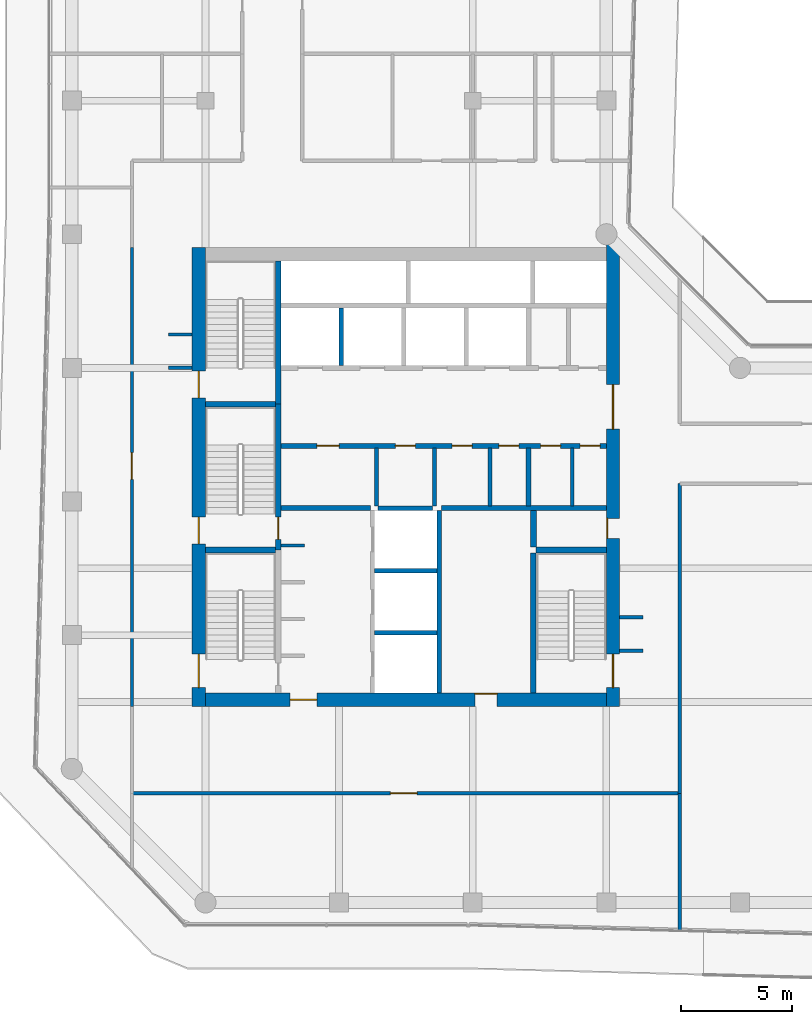
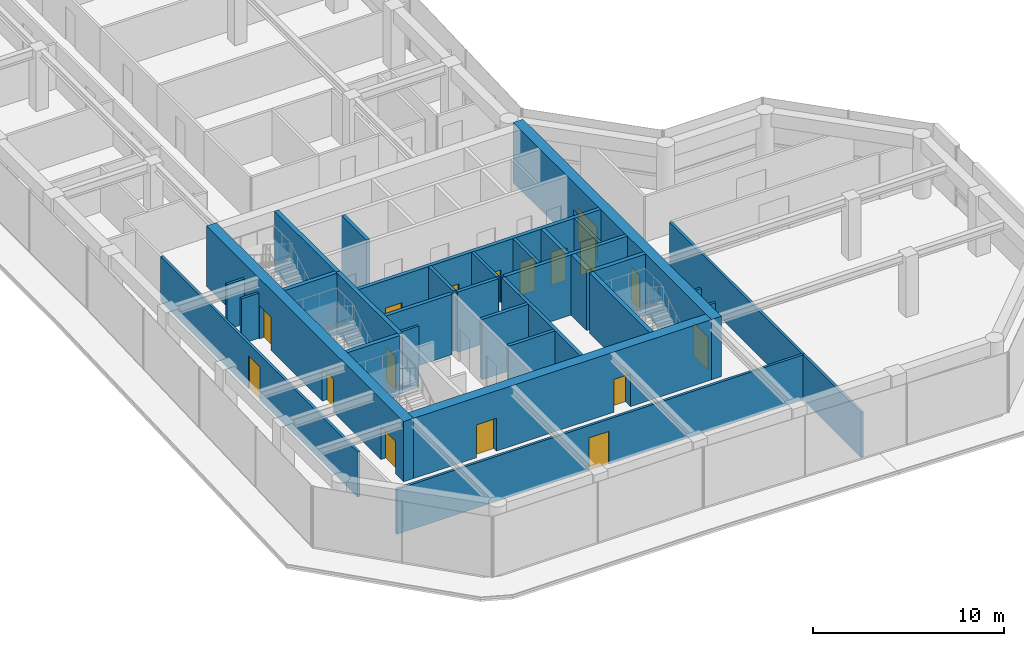
# One storey, part 15 of 19: 32 walls, 17 doors, 17 openings.
"""IFC4 building model written with IfcOpenShell, lengths in metres."""

from ifc_helpers import new_model, si_unit, direction, frame, frame_2d, origin, place, context, subcontext, project, spatial, rectangle, extrude, material, layer, layer_set, type_object, element, fill, save


model = new_model("IFC4")

# Units and contexts
model_context = context("Model", 3, precision=1e-05, world=origin(), true_north=direction((0.0, 1.0)))
body_context = subcontext(model_context, "Body", "Model", "MODEL_VIEW")
ifc_project = project(units=[si_unit("LENGTHUNIT", "METRE"), si_unit("AREAUNIT", "SQUARE_METRE"), si_unit("VOLUMEUNIT", "CUBIC_METRE"), si_unit("PLANEANGLEUNIT", "RADIAN"), si_unit("MASSUNIT", "GRAM", prefix="KILO")], contexts=[model_context])

# Site, building, storey
site_placement = place(None, origin())
site = spatial("IfcSite", under=ifc_project, at=site_placement, CompositionType="ELEMENT")
building_placement = place(site_placement, origin())
building = spatial("IfcBuilding", under=site, at=building_placement, Name="Welwitschia Terrace Campus", CompositionType="ELEMENT")
storey_placement = place(building_placement, frame((0.0, 0.0, 163.39990234375)))
storey = spatial("IfcBuildingStorey", under=building, at=storey_placement, Name="L36", CompositionType="ELEMENT", Elevation=163.39990234375)

# Walls
ifc_material_1 = material(Name="Concrete C32/40", Category="concrete")
ifc_layer_1 = layer(ifc_material_1, 0.175048828125)
ifc_layer_set_1 = layer_set([ifc_layer_1], Name="Concrete C32/40")
wall_type_1 = type_object("IfcWallType", Name="Core partition 175 Concrete C32/40", PredefinedType="PARTITIONING", material=ifc_layer_set_1)
for number, where, z_axis, x_axis, name in (
    (1, (13.675048828125, 13.800048828125, 0.0), (0.0, 0.0, 1.0), (0.0, 1.0, 0.0), "Core partition"),
    (2, (16.27490234375, 13.800048828125, 0.0), (0.0, 0.0, 1.0), (0.0, 1.0, 0.0), "Core partition"),
    (3, (18.77490234375, 13.800048828125, 0.0), (0.0, 0.0, 1.0), (0.0, 1.0, 0.0), "Core partition"),
    (4, (22.469970703125, 13.800048828125, 0.0), (0.0, 0.0, 1.0), (0.0, 1.0, 0.0), "Core partition"),
):
    element("IfcWall", number, at=place(storey_placement, frame(where, z_axis=z_axis, x_axis=x_axis)), inside=storey, type_object=wall_type_1, Name=name, PredefinedType="PARTITIONING", context=body_context, shape_type="SweptSolid", body=[
        extrude(rectangle(XDim=2.599853515625, YDim=0.175048828125, at=frame_2d((1.2998046875, 0.0))), origin(), (0.0, 0.0, 1.0), 3.85009765625),
    ])
ifc_material_2 = material(Name="Concrete C32/40", Category="concrete")
ifc_layer_2 = layer(ifc_material_2, 0.22509765625)
ifc_layer_set_2 = layer_set([ifc_layer_2], Name="Concrete C32/40")
wall_type_2 = type_object("IfcWallType", Name="Core partition 225 Concrete C32/40", PredefinedType="PARTITIONING", material=ifc_layer_set_2)
wall_1_placement = place(storey_placement, frame((9.39990234375, 13.699951171875, 0.0), z_axis=(0.0, 0.0, 1.0), x_axis=(1.0, 0.0, 0.0)))
element("IfcWall", 5, at=wall_1_placement, inside=storey, type_object=wall_type_2, Name="Core partition", PredefinedType="PARTITIONING", context=body_context, shape_type="SweptSolid", body=[
    extrude(rectangle(XDim=4.0, YDim=0.22509765625, at=frame_2d((2.0, 0.0))), origin(), (0.0, 0.0, 1.0), 3.85009765625),
])
wall_2_placement = place(storey_placement, frame((16.60009765625, 13.699951171875, 0.0), z_axis=(0.0, 0.0, 1.0), x_axis=(1.0, 0.0, 0.0)))
element("IfcWall", 6, at=wall_2_placement, inside=storey, type_object=wall_type_2, Name="Core partition", PredefinedType="PARTITIONING", context=body_context, shape_type="SweptSolid", body=[
    extrude(rectangle(XDim=7.39990234375, YDim=0.22509765625, at=frame_2d((3.699951171875, 0.0))), origin(), (0.0, 0.0, 1.0), 3.85009765625),
])

# Wall, openings, doors
wall_3_placement = place(storey_placement, frame((9.39990234375, 16.5, 0.0), z_axis=(0.0, 0.0, 1.0), x_axis=(1.0, 0.0, 0.0)))
wall_3 = element("IfcWall", 7, at=wall_3_placement, inside=storey, type_object=wall_type_2, Name="Core partition", PredefinedType="PARTITIONING", context=body_context, shape_type="SweptSolid", body=[
    extrude(rectangle(XDim=14.60009765625, YDim=0.22509765625, at=frame_2d((7.300048828125, 0.0))), origin(), (0.0, 0.0, 1.0), 3.85009765625),
])
opening_1_placement = place(wall_3_placement, frame((1.60009765625, 0.0, 0.0)))
opening_1 = element("IfcOpeningElement", 8, at=opening_1_placement, cuts=wall_3, Name="Opening DR10", PredefinedType="OPENING", context=body_context, shape_type="SweptSolid", body=[
    extrude(rectangle(XDim=1.0, YDim=2.10009765625, at=frame_2d((0.5, 1.050048828125))), frame((0.0, 0.12255859375, 0.0), z_axis=(0.0, -1.0, 0.0), x_axis=(1.0, 0.0, 0.0)), (0.0, 0.0, 1.0), 0.2451171875),
])
opening_2_placement = place(wall_3_placement, frame((5.125, 0.0, 0.0)))
opening_2 = element("IfcOpeningElement", 9, at=opening_2_placement, cuts=wall_3, Name="Opening DR09", PredefinedType="OPENING", context=body_context, shape_type="SweptSolid", body=[
    extrude(rectangle(XDim=0.89990234375, YDim=2.10009765625, at=frame_2d((0.449951171875, 1.050048828125))), frame((0.0, 0.12255859375, 0.0), z_axis=(0.0, -1.0, 0.0), x_axis=(1.0, 0.0, 0.0)), (0.0, 0.0, 1.0), 0.2451171875),
])
opening_3_placement = place(wall_3_placement, frame((7.675048828125, 0.0, 0.0)))
opening_3 = element("IfcOpeningElement", 10, at=opening_3_placement, cuts=wall_3, Name="Opening DR09", PredefinedType="OPENING", context=body_context, shape_type="SweptSolid", body=[
    extrude(rectangle(XDim=0.89990234375, YDim=2.10009765625, at=frame_2d((0.449951171875, 1.050048828125))), frame((0.0, 0.12255859375, 0.0), z_axis=(0.0, -1.0, 0.0), x_axis=(1.0, 0.0, 0.0)), (0.0, 0.0, 1.0), 0.2451171875),
])
opening_4_placement = place(wall_3_placement, frame((9.77490234375, 0.0, 0.0)))
opening_4 = element("IfcOpeningElement", 11, at=opening_4_placement, cuts=wall_3, Name="Opening DR09", PredefinedType="OPENING", context=body_context, shape_type="SweptSolid", body=[
    extrude(rectangle(XDim=0.89990234375, YDim=2.10009765625, at=frame_2d((0.449951171875, 1.050048828125))), frame((0.0, 0.12255859375, 0.0), z_axis=(0.0, -1.0, 0.0), x_axis=(1.0, 0.0, 0.0)), (0.0, 0.0, 1.0), 0.2451171875),
])
opening_5_placement = place(wall_3_placement, frame((11.6474609375, 0.0, 0.0)))
opening_5 = element("IfcOpeningElement", 12, at=opening_5_placement, cuts=wall_3, Name="Opening DR09", PredefinedType="OPENING", context=body_context, shape_type="SweptSolid", body=[
    extrude(rectangle(XDim=0.89990234375, YDim=2.10009765625, at=frame_2d((0.449951171875, 1.050048828125))), frame((0.0, 0.12255859375, 0.0), z_axis=(0.0, -1.0, 0.0), x_axis=(1.0, 0.0, 0.0)), (0.0, 0.0, 1.0), 0.2451171875),
])
opening_6_placement = place(wall_3_placement, frame((13.422607421875, 0.0, 0.0)))
opening_6 = element("IfcOpeningElement", 13, at=opening_6_placement, cuts=wall_3, Name="Opening DR09", PredefinedType="OPENING", context=body_context, shape_type="SweptSolid", body=[
    extrude(rectangle(XDim=0.89990234375, YDim=2.10009765625, at=frame_2d((0.449951171875, 1.050048828125))), frame((0.0, 0.12255859375, 0.0), z_axis=(0.0, -1.0, 0.0), x_axis=(1.0, 0.0, 0.0)), (0.0, 0.0, 1.0), 0.2451171875),
])
ifc_material_3 = material(Name="Steel S275", Category="steel")
door_type_1 = type_object("IfcDoorType", Name="Core door DR09", OperationType="SINGLE_SWING_LEFT", PredefinedType="DOOR", material=ifc_material_3)
door_1_placement = place(opening_2_placement, origin())
door_1 = element("IfcDoor", 14, at=door_1_placement, inside=storey, type_object=door_type_1, Name="Door BAYL2-D", OperationType="SINGLE_SWING_LEFT", OverallHeight=2.10009765625, OverallWidth=0.89990234375, PredefinedType="DOOR", context=body_context, shape_type="SweptSolid", body=[
    extrude(rectangle(XDim=0.89990234375, YDim=2.10009765625, at=frame_2d((0.449951171875, 1.050048828125))), frame((0.0, 0.02490234375, 0.0), z_axis=(0.0, -1.0, 0.0), x_axis=(1.0, 0.0, 0.0)), (0.0, 0.0, 1.0), 0.050048828125),
])
fill(opening_2, door_1)
door_2_placement = place(opening_3_placement, origin())
door_2 = element("IfcDoor", 15, at=door_2_placement, inside=storey, type_object=door_type_1, Name="Door BAYL3-D", OperationType="SINGLE_SWING_RIGHT", OverallHeight=2.10009765625, OverallWidth=0.89990234375, PredefinedType="DOOR", context=body_context, shape_type="SweptSolid", body=[
    extrude(rectangle(XDim=0.89990234375, YDim=2.10009765625, at=frame_2d((0.449951171875, 1.050048828125))), frame((0.0, 0.02490234375, 0.0), z_axis=(0.0, -1.0, 0.0), x_axis=(1.0, 0.0, 0.0)), (0.0, 0.0, 1.0), 0.050048828125),
])
fill(opening_3, door_2)
door_3_placement = place(opening_4_placement, origin())
door_3 = element("IfcDoor", 16, at=door_3_placement, inside=storey, type_object=door_type_1, Name="Door BAYL4-D", OperationType="SINGLE_SWING_RIGHT", OverallHeight=2.10009765625, OverallWidth=0.89990234375, PredefinedType="DOOR", context=body_context, shape_type="SweptSolid", body=[
    extrude(rectangle(XDim=0.89990234375, YDim=2.10009765625, at=frame_2d((0.449951171875, 1.050048828125))), frame((0.0, 0.02490234375, 0.0), z_axis=(0.0, -1.0, 0.0), x_axis=(1.0, 0.0, 0.0)), (0.0, 0.0, 1.0), 0.050048828125),
])
fill(opening_4, door_3)
door_4_placement = place(opening_5_placement, origin())
door_4 = element("IfcDoor", 17, at=door_4_placement, inside=storey, type_object=door_type_1, Name="Door EL1-D", OperationType="SINGLE_SWING_RIGHT", OverallHeight=2.10009765625, OverallWidth=0.89990234375, PredefinedType="DOOR", context=body_context, shape_type="SweptSolid", body=[
    extrude(rectangle(XDim=0.89990234375, YDim=2.10009765625, at=frame_2d((0.449951171875, 1.050048828125))), frame((0.0, 0.02490234375, 0.0), z_axis=(0.0, -1.0, 0.0), x_axis=(1.0, 0.0, 0.0)), (0.0, 0.0, 1.0), 0.050048828125),
])
fill(opening_5, door_4)
door_5_placement = place(opening_6_placement, origin())
door_5 = element("IfcDoor", 18, at=door_5_placement, inside=storey, type_object=door_type_1, Name="Door EL2-D", OperationType="SINGLE_SWING_RIGHT", OverallHeight=2.10009765625, OverallWidth=0.89990234375, PredefinedType="DOOR", context=body_context, shape_type="SweptSolid", body=[
    extrude(rectangle(XDim=0.89990234375, YDim=2.10009765625, at=frame_2d((0.449951171875, 1.050048828125))), frame((0.0, 0.02490234375, 0.0), z_axis=(0.0, -1.0, 0.0), x_axis=(1.0, 0.0, 0.0)), (0.0, 0.0, 1.0), 0.050048828125),
])
fill(opening_6, door_5)
ifc_material_4 = material(Name="Steel S275", Category="steel")
door_type_2 = type_object("IfcDoorType", Name="Core door DR10", OperationType="SINGLE_SWING_LEFT", PredefinedType="DOOR", material=ifc_material_4)
door_6_placement = place(opening_1_placement, origin())
door_6 = element("IfcDoor", 19, at=door_6_placement, inside=storey, type_object=door_type_2, Name="Door BAYL1-D", OperationType="SINGLE_SWING_LEFT", OverallHeight=2.10009765625, OverallWidth=1.0, PredefinedType="DOOR", context=body_context, shape_type="SweptSolid", body=[
    extrude(rectangle(XDim=1.0, YDim=2.10009765625, at=frame_2d((0.5, 1.050048828125))), frame((0.0, 0.02490234375, 0.0), z_axis=(0.0, -1.0, 0.0), x_axis=(1.0, 0.0, 0.0)), (0.0, 0.0, 1.0), 0.050048828125),
])
fill(opening_1, door_6)

# Walls
wall_4_placement = place(storey_placement, frame((20.5, 13.800048828125, 0.0), z_axis=(0.0, 0.0, 1.0), x_axis=(0.0, 1.0, 0.0)))
element("IfcWall", 20, at=wall_4_placement, inside=storey, type_object=wall_type_2, Name="Core partition", PredefinedType="PARTITIONING", context=body_context, shape_type="SweptSolid", body=[
    extrude(rectangle(XDim=2.599853515625, YDim=0.22509765625, at=frame_2d((1.2998046875, 0.0))), origin(), (0.0, 0.0, 1.0), 3.85009765625),
])
ifc_material_5 = material(Name="Concrete C32/40", Category="concrete")
ifc_layer_3 = layer(ifc_material_5, 0.27490234375)
ifc_layer_set_3 = layer_set([ifc_layer_3], Name="Concrete C32/40")
wall_type_3 = type_object("IfcWallType", Name="Core partition 275 Concrete C32/40", PredefinedType="PARTITIONING", material=ifc_layer_set_3)
wall_5_placement = place(storey_placement, frame((20.72509765625, 11.949951171875, 0.0), z_axis=(0.0, 0.0, 1.0), x_axis=(0.0, 1.0, 0.0)))
element("IfcWall", 21, at=wall_5_placement, inside=storey, type_object=wall_type_3, Name="Core partition", PredefinedType="PARTITIONING", context=body_context, shape_type="SweptSolid", body=[
    extrude(rectangle(XDim=1.650146484375, YDim=0.27490234375, at=frame_2d((0.8251953125, 0.0))), origin(), (0.0, 0.0, 1.0), 3.85009765625),
])
ifc_material_6 = material(Name="Concrete C50/60", Category="concrete")
ifc_layer_4 = layer(ifc_material_6, 0.14990234375)
ifc_layer_set_4 = layer_set([ifc_layer_4], Name="Concrete C50/60")
wall_type_4 = type_object("IfcWallType", Name="Core wall 150 Concrete C50/60", PredefinedType="SHEAR", material=ifc_layer_set_4)
wall_6_placement = place(storey_placement, frame((9.39990234375, 12.02490234375, 0.0), z_axis=(0.0, 0.0, 1.0), x_axis=(1.0, 0.0, 0.0)))
element("IfcWall", 22, at=wall_6_placement, inside=storey, type_object=wall_type_4, Name="Core wall", PredefinedType="SHEAR", context=body_context, shape_type="SweptSolid", body=[
    extrude(rectangle(XDim=1.050048828125, YDim=0.14990234375, at=frame_2d((0.52490234375, 0.0))), origin(), (0.0, 0.0, 1.0), 3.85009765625),
])
ifc_material_7 = material(Name="Concrete C50/60", Category="concrete")
ifc_layer_5 = layer(ifc_material_7, 0.199951171875)
ifc_layer_set_5 = layer_set([ifc_layer_5], Name="Concrete C50/60")
wall_type_5 = type_object("IfcWallType", Name="Core wall 200 Concrete C50/60", PredefinedType="SHEAR", material=ifc_layer_set_5)
for number, where, z_axis, x_axis, name in (
    (23, (13.60009765625, 8.10009765625, 0.0), (0.0, 0.0, 1.0), (1.0, 0.0, 0.0), "Core wall"),
    (24, (13.60009765625, 10.89990234375, 0.0), (0.0, 0.0, 1.0), (1.0, 0.0, 0.0), "Core wall"),
):
    element("IfcWall", number, at=place(storey_placement, frame(where, z_axis=z_axis, x_axis=x_axis)), inside=storey, type_object=wall_type_5, Name=name, PredefinedType="SHEAR", context=body_context, shape_type="SweptSolid", body=[
        extrude(rectangle(XDim=2.7998046875, YDim=0.199951171875, at=frame_2d((1.39990234375, 0.0))), origin(), (0.0, 0.0, 1.0), 3.85009765625),
    ])
wall_7_placement = place(storey_placement, frame((13.75, 13.699951171875, 0.0), z_axis=(0.0, 0.0, 1.0), x_axis=(1.0, 0.0, 0.0)))
element("IfcWall", 25, at=wall_7_placement, inside=storey, type_object=wall_type_5, Name="Core wall", PredefinedType="SHEAR", context=body_context, shape_type="SweptSolid", body=[
    extrude(rectangle(XDim=2.449951171875, YDim=0.199951171875, at=frame_2d((1.22509765625, 0.0))), origin(), (0.0, 0.0, 1.0), 3.85009765625),
])
wall_8_placement = place(storey_placement, frame((16.5, 5.39990234375, 0.0), z_axis=(0.0, 0.0, 1.0), x_axis=(0.0, 1.0, 0.0)))
element("IfcWall", 26, at=wall_8_placement, inside=storey, type_object=wall_type_5, Name="Core wall", PredefinedType="SHEAR", context=body_context, shape_type="SweptSolid", body=[
    extrude(rectangle(XDim=8.2001953125, YDim=0.199951171875, at=frame_2d((4.10009765625, 0.0))), origin(), (0.0, 0.0, 1.0), 3.85009765625),
])
ifc_material_8 = material(Name="Concrete C50/60", Category="concrete")
ifc_layer_6 = layer(ifc_material_8, 0.25)
ifc_layer_set_6 = layer_set([ifc_layer_6], Name="Concrete C50/60")
wall_type_6 = type_object("IfcWallType", Name="Core wall 250 Concrete C50/60", PredefinedType="SHEAR", material=ifc_layer_set_6)
for number, where, z_axis, x_axis, name in (
    (27, (6.0, 11.824951171875, 0.0), (0.0, 0.0, 1.0), (1.0, 0.0, 0.0), "Core wall"),
    (28, (20.85009765625, 11.824951171875, 0.0), (0.0, 0.0, 1.0), (1.0, 0.0, 0.0), "Core wall"),
    (29, (6.0, 18.375, 0.0), (0.0, 0.0, 1.0), (1.0, 0.0, 0.0), "Core wall"),
):
    element("IfcWall", number, at=place(storey_placement, frame(where, z_axis=z_axis, x_axis=x_axis)), inside=storey, type_object=wall_type_6, Name=name, PredefinedType="SHEAR", context=body_context, shape_type="SweptSolid", body=[
        extrude(rectangle(XDim=3.14990234375, YDim=0.25, at=frame_2d((1.574951171875, 0.0))), origin(), (0.0, 0.0, 1.0), 3.85009765625),
    ])

# Wall, opening, door
wall_9_placement = place(storey_placement, frame((9.27490234375, 18.375, 0.0), z_axis=(0.0, 0.0, 1.0), x_axis=(0.0, -1.0, 0.0)))
wall_9 = element("IfcWall", 30, at=wall_9_placement, inside=storey, type_object=wall_type_6, Name="Core wall", PredefinedType="SHEAR", context=body_context, shape_type="SweptSolid", body=[
    extrude(rectangle(XDim=6.550048828125, YDim=0.25, at=frame_2d((3.27490234375, 0.0))), origin(), (0.0, 0.0, 1.0), 3.85009765625),
])
opening_7_placement = place(wall_9_placement, frame((5.074951171875, 0.0, 0.0)))
opening_7 = element("IfcOpeningElement", 31, at=opening_7_placement, cuts=wall_9, Name="Opening DS10", PredefinedType="OPENING", context=body_context, shape_type="SweptSolid", body=[
    extrude(rectangle(XDim=1.0, YDim=2.10009765625, at=frame_2d((0.5, 1.050048828125))), frame((0.0, 0.135009765625, 0.0), z_axis=(0.0, -1.0, 0.0), x_axis=(1.0, 0.0, 0.0)), (0.0, 0.0, 1.0), 0.27001953125),
])
ifc_material_9 = material(Name="Steel S275", Category="steel")
door_type_3 = type_object("IfcDoorType", Name="Core door DS10", OperationType="SINGLE_SWING_LEFT", PredefinedType="DOOR", material=ifc_material_9)
door_7_placement = place(opening_7_placement, origin())
door_7 = element("IfcDoor", 32, at=door_7_placement, inside=storey, type_object=door_type_3, Name="Door S3-FL", OperationType="SINGLE_SWING_RIGHT", OverallHeight=2.10009765625, OverallWidth=1.0, PredefinedType="DOOR", context=body_context, shape_type="SweptSolid", body=[
    extrude(rectangle(XDim=1.0, YDim=2.10009765625, at=frame_2d((0.5, 1.050048828125))), frame((0.0, 0.02490234375, 0.0), z_axis=(0.0, -1.0, 0.0), x_axis=(1.0, 0.0, 0.0)), (0.0, 0.0, 1.0), 0.050048828125),
])
fill(opening_7, door_7)

# Walls
wall_10_placement = place(storey_placement, frame((9.27490234375, 18.375, 0.0), z_axis=(0.0, 0.0, 1.0), x_axis=(0.0, 1.0, 0.0)))
element("IfcWall", 33, at=wall_10_placement, inside=storey, type_object=wall_type_6, Name="Core wall", PredefinedType="SHEAR", context=body_context, shape_type="SweptSolid", body=[
    extrude(rectangle(XDim=6.425048828125, YDim=0.25, at=frame_2d((3.21240234375, 0.0))), origin(), (0.0, 0.0, 1.0), 3.85009765625),
])
wall_11_placement = place(storey_placement, frame((20.72509765625, 5.39990234375, 0.0), z_axis=(0.0, 0.0, 1.0), x_axis=(0.0, 1.0, 0.0)))
element("IfcWall", 34, at=wall_11_placement, inside=storey, type_object=wall_type_6, Name="Core wall", PredefinedType="SHEAR", context=body_context, shape_type="SweptSolid", body=[
    extrude(rectangle(XDim=6.300048828125, YDim=0.25, at=frame_2d((3.14990234375, 0.0))), origin(), (0.0, 0.0, 1.0), 3.85009765625),
])

# Wall, openings, doors
ifc_material_10 = material(Name="Concrete C60/75", Category="concrete")
ifc_layer_7 = layer(ifc_material_10, 0.60009765625)
ifc_layer_set_7 = layer_set([ifc_layer_7], Name="Concrete C60/75")
wall_type_7 = type_object("IfcWallType", Name="Core wall 600 Concrete C60/75", PredefinedType="SHEAR", material=ifc_layer_set_7)
wall_12_placement = place(storey_placement, frame((5.699951171875, 4.800048828125, 0.0), z_axis=(0.0, 0.0, 1.0), x_axis=(0.0, 1.0, 0.0)))
wall_12 = element("IfcWall", 35, at=wall_12_placement, inside=storey, type_object=wall_type_7, Name="Core outer wall", PredefinedType="SHEAR", context=body_context, shape_type="SweptSolid", body=[
    extrude(rectangle(XDim=20.599853515625, YDim=0.60009765625, at=frame_2d((10.2998046875, 0.0))), origin(), (0.0, 0.0, 1.0), 3.85009765625),
])
opening_8_placement = place(wall_12_placement, frame((0.85009765625, 0.0, 0.0)))
opening_8 = element("IfcOpeningElement", 36, at=opening_8_placement, cuts=wall_12, Name="Opening DS15", PredefinedType="OPENING", context=body_context, shape_type="SweptSolid", body=[
    extrude(rectangle(XDim=1.5, YDim=2.10009765625, at=frame_2d((0.75, 1.050048828125))), frame((0.0, 0.31005859375, 0.0), z_axis=(0.0, -1.0, 0.0), x_axis=(1.0, 0.0, 0.0)), (0.0, 0.0, 1.0), 0.6201171875),
])
opening_9_placement = place(wall_12_placement, frame((7.300048828125, 0.0, 0.0)))
opening_9 = element("IfcOpeningElement", 37, at=opening_9_placement, cuts=wall_12, Name="Opening DS12", PredefinedType="OPENING", context=body_context, shape_type="SweptSolid", body=[
    extrude(rectangle(XDim=1.199951171875, YDim=2.10009765625, at=frame_2d((0.60009765625, 1.050048828125))), frame((0.0, 0.31005859375, 0.0), z_axis=(0.0, -1.0, 0.0), x_axis=(1.0, 0.0, 0.0)), (0.0, 0.0, 1.0), 0.6201171875),
])
opening_10_placement = place(wall_12_placement, frame((13.85009765625, 0.0, 0.0)))
opening_10 = element("IfcOpeningElement", 38, at=opening_10_placement, cuts=wall_12, Name="Opening DS12", PredefinedType="OPENING", context=body_context, shape_type="SweptSolid", body=[
    extrude(rectangle(XDim=1.199951171875, YDim=2.10009765625, at=frame_2d((0.60009765625, 1.050048828125))), frame((0.0, 0.31005859375, 0.0), z_axis=(0.0, -1.0, 0.0), x_axis=(1.0, 0.0, 0.0)), (0.0, 0.0, 1.0), 0.6201171875),
])
ifc_material_11 = material(Name="Steel S275", Category="steel")
door_type_4 = type_object("IfcDoorType", Name="Core door DS12", OperationType="SINGLE_SWING_LEFT", PredefinedType="DOOR", material=ifc_material_11)
door_8_placement = place(opening_9_placement, origin())
door_8 = element("IfcDoor", 39, at=door_8_placement, inside=storey, type_object=door_type_4, Name="Door S3-out", OperationType="SINGLE_SWING_LEFT", OverallHeight=2.10009765625, OverallWidth=1.199951171875, PredefinedType="DOOR", context=body_context, shape_type="SweptSolid", body=[
    extrude(rectangle(XDim=1.199951171875, YDim=2.10009765625, at=frame_2d((0.60009765625, 1.050048828125))), frame((0.0, 0.02490234375, 0.0), z_axis=(0.0, -1.0, 0.0), x_axis=(1.0, 0.0, 0.0)), (0.0, 0.0, 1.0), 0.050048828125),
])
fill(opening_9, door_8)
door_9_placement = place(opening_10_placement, origin())
door_9 = element("IfcDoor", 40, at=door_9_placement, inside=storey, type_object=door_type_4, Name="Door S4-out", OperationType="SINGLE_SWING_RIGHT", OverallHeight=2.10009765625, OverallWidth=1.199951171875, PredefinedType="DOOR", context=body_context, shape_type="SweptSolid", body=[
    extrude(rectangle(XDim=1.199951171875, YDim=2.10009765625, at=frame_2d((0.60009765625, 1.050048828125))), frame((0.0, 0.02490234375, 0.0), z_axis=(0.0, -1.0, 0.0), x_axis=(1.0, 0.0, 0.0)), (0.0, 0.0, 1.0), 0.050048828125),
])
fill(opening_10, door_9)
ifc_material_12 = material(Name="Steel S275", Category="steel")
door_type_5 = type_object("IfcDoorType", Name="Core door DS15", OperationType="DOUBLE_DOOR_SINGLE_SWING", PredefinedType="DOOR", material=ifc_material_12)
door_10_placement = place(opening_8_placement, origin())
door_10 = element("IfcDoor", 41, at=door_10_placement, inside=storey, type_object=door_type_5, Name="Door S1-out", OperationType="DOUBLE_DOOR_SINGLE_SWING", OverallHeight=2.10009765625, OverallWidth=1.5, PredefinedType="DOOR", context=body_context, shape_type="SweptSolid", body=[
    extrude(rectangle(XDim=1.5, YDim=2.10009765625, at=frame_2d((0.75, 1.050048828125))), frame((0.0, 0.02490234375, 0.0), z_axis=(0.0, -1.0, 0.0), x_axis=(1.0, 0.0, 0.0)), (0.0, 0.0, 1.0), 0.050048828125),
])
fill(opening_8, door_10)

wall_13_placement = place(storey_placement, frame((24.300048828125, 25.554931640625, 0.0), z_axis=(0.0, 0.0, 1.0), x_axis=(0.0, -1.0, 0.0)))
wall_13 = element("IfcWall", 42, at=wall_13_placement, inside=storey, type_object=wall_type_7, Name="Core outer wall", PredefinedType="SHEAR", context=body_context, shape_type="SweptSolid", body=[
    extrude(rectangle(XDim=20.7548828125, YDim=0.60009765625, at=frame_2d((10.37744140625, 0.0))), origin(), (0.0, 0.0, 1.0), 3.85009765625),
])
opening_11_placement = place(wall_13_placement, frame((18.405029296875, 0.0, 0.0)))
opening_11 = element("IfcOpeningElement", 43, at=opening_11_placement, cuts=wall_13, Name="Opening DS15", PredefinedType="OPENING", context=body_context, shape_type="SweptSolid", body=[
    extrude(rectangle(XDim=1.5, YDim=2.10009765625, at=frame_2d((0.75, 1.050048828125))), frame((0.0, 0.31005859375, 0.0), z_axis=(0.0, -1.0, 0.0), x_axis=(1.0, 0.0, 0.0)), (0.0, 0.0, 1.0), 0.6201171875),
])
opening_12_placement = place(wall_13_placement, frame((12.304931640625, 0.0, 0.0)))
opening_12 = element("IfcOpeningElement", 44, at=opening_12_placement, cuts=wall_13, Name="Opening DR09", PredefinedType="OPENING", context=body_context, shape_type="SweptSolid", body=[
    extrude(rectangle(XDim=0.89990234375, YDim=2.10009765625, at=frame_2d((0.449951171875, 1.050048828125))), frame((0.0, 0.31005859375, 0.0), z_axis=(0.0, -1.0, 0.0), x_axis=(1.0, 0.0, 0.0)), (0.0, 0.0, 1.0), 0.6201171875),
])
opening_13_placement = place(wall_13_placement, frame((6.304931640625, 0.0, 0.0)))
opening_13 = element("IfcOpeningElement", 45, at=opening_13_placement, cuts=wall_13, Name="Opening DL20", PredefinedType="OPENING", context=body_context, shape_type="SweptSolid", body=[
    extrude(rectangle(XDim=2.0, YDim=2.10009765625, at=frame_2d((1.0, 1.050048828125))), frame((0.0, 0.31005859375, 0.0), z_axis=(0.0, -1.0, 0.0), x_axis=(1.0, 0.0, 0.0)), (0.0, 0.0, 1.0), 0.6201171875),
])
ifc_material_13 = material(Name="Steel S275", Category="steel")
door_type_6 = type_object("IfcDoorType", Name="Core door DL20", OperationType="DOUBLE_DOOR_SINGLE_SWING", PredefinedType="DOOR", material=ifc_material_13)
door_11_placement = place(opening_13_placement, origin())
door_11 = element("IfcDoor", 46, at=door_11_placement, inside=storey, type_object=door_type_6, Name="Door LOBBY-out", OperationType="DOUBLE_DOOR_SINGLE_SWING", OverallHeight=2.10009765625, OverallWidth=2.0, PredefinedType="DOOR", context=body_context, shape_type="SweptSolid", body=[
    extrude(rectangle(XDim=2.0, YDim=2.10009765625, at=frame_2d((1.0, 1.050048828125))), frame((0.0, 0.02490234375, 0.0), z_axis=(0.0, -1.0, 0.0), x_axis=(1.0, 0.0, 0.0)), (0.0, 0.0, 1.0), 0.050048828125),
])
fill(opening_13, door_11)
door_12_placement = place(opening_12_placement, origin())
door_12 = element("IfcDoor", 47, at=door_12_placement, inside=storey, type_object=door_type_1, Name="Door F1B-out", OperationType="SINGLE_SWING_RIGHT", OverallHeight=2.10009765625, OverallWidth=0.89990234375, PredefinedType="DOOR", context=body_context, shape_type="SweptSolid", body=[
    extrude(rectangle(XDim=0.89990234375, YDim=2.10009765625, at=frame_2d((0.449951171875, 1.050048828125))), frame((0.0, -0.23974609375, 0.0), z_axis=(0.0, -1.0, 0.0), x_axis=(1.0, 0.0, 0.0)), (0.0, 0.0, 1.0), 0.050048828125),
])
fill(opening_12, door_12)
door_13_placement = place(opening_11_placement, origin())
door_13 = element("IfcDoor", 48, at=door_13_placement, inside=storey, type_object=door_type_5, Name="Door S2-out", OperationType="DOUBLE_DOOR_SINGLE_SWING", OverallHeight=2.10009765625, OverallWidth=1.5, PredefinedType="DOOR", context=body_context, shape_type="SweptSolid", body=[
    extrude(rectangle(XDim=1.5, YDim=2.10009765625, at=frame_2d((0.75, 1.050048828125))), frame((0.0, 0.02490234375, 0.0), z_axis=(0.0, -1.0, 0.0), x_axis=(1.0, 0.0, 0.0)), (0.0, 0.0, 1.0), 0.050048828125),
])
fill(opening_11, door_13)

wall_14_placement = place(storey_placement, frame((24.0, 5.10009765625, 0.0), z_axis=(0.0, 0.0, 1.0), x_axis=(-1.0, 0.0, 0.0)))
wall_14 = element("IfcWall", 49, at=wall_14_placement, inside=storey, type_object=wall_type_7, Name="Core outer wall", PredefinedType="SHEAR", context=body_context, shape_type="SweptSolid", body=[
    extrude(rectangle(XDim=18.0, YDim=0.60009765625, at=frame_2d((9.0, 0.0))), origin(), (0.0, 0.0, 1.0), 3.85009765625),
])
opening_14_placement = place(wall_14_placement, frame((13.0, 0.0, 0.0)))
opening_14 = element("IfcOpeningElement", 50, at=opening_14_placement, cuts=wall_14, Name="Opening DF12", PredefinedType="OPENING", context=body_context, shape_type="SweptSolid", body=[
    extrude(rectangle(XDim=1.199951171875, YDim=2.10009765625, at=frame_2d((0.60009765625, 1.050048828125))), frame((0.0, 0.31005859375, 0.0), z_axis=(0.0, -1.0, 0.0), x_axis=(1.0, 0.0, 0.0)), (0.0, 0.0, 1.0), 0.6201171875),
])
opening_15_placement = place(wall_14_placement, frame((4.89990234375, 0.0, 0.0)))
opening_15 = element("IfcOpeningElement", 51, at=opening_15_placement, cuts=wall_14, Name="Opening DR10", PredefinedType="OPENING", context=body_context, shape_type="SweptSolid", body=[
    extrude(rectangle(XDim=1.0, YDim=2.10009765625, at=frame_2d((0.5, 1.050048828125))), frame((0.0, 0.31005859375, 0.0), z_axis=(0.0, -1.0, 0.0), x_axis=(1.0, 0.0, 0.0)), (0.0, 0.0, 1.0), 0.6201171875),
])
ifc_material_14 = material(Name="Steel S275", Category="steel")
door_type_7 = type_object("IfcDoorType", Name="Core door DF12", OperationType="SINGLE_SWING_LEFT", PredefinedType="DOOR", material=ifc_material_14)
door_14_placement = place(opening_14_placement, origin())
door_14 = element("IfcDoor", 52, at=door_14_placement, inside=storey, type_object=door_type_7, Name="Door FL-out", OperationType="SINGLE_SWING_RIGHT", OverallHeight=2.10009765625, OverallWidth=1.199951171875, PredefinedType="DOOR", context=body_context, shape_type="SweptSolid", body=[
    extrude(rectangle(XDim=1.199951171875, YDim=2.10009765625, at=frame_2d((0.60009765625, 1.050048828125))), frame((0.0, 0.02490234375, 0.0), z_axis=(0.0, -1.0, 0.0), x_axis=(1.0, 0.0, 0.0)), (0.0, 0.0, 1.0), 0.050048828125),
])
fill(opening_14, door_14)
door_15_placement = place(opening_15_placement, origin())
door_15 = element("IfcDoor", 53, at=door_15_placement, inside=storey, type_object=door_type_2, Name="Door F1-out", OperationType="SINGLE_SWING_LEFT", OverallHeight=2.10009765625, OverallWidth=1.0, PredefinedType="DOOR", context=body_context, shape_type="SweptSolid", body=[
    extrude(rectangle(XDim=1.0, YDim=2.10009765625, at=frame_2d((0.5, 1.050048828125))), frame((0.0, -0.23974609375, 0.0), z_axis=(0.0, -1.0, 0.0), x_axis=(1.0, 0.0, 0.0)), (0.0, 0.0, 1.0), 0.050048828125),
])
fill(opening_15, door_15)

# Wall, opening, door
ifc_material_15 = material(Name="Gypsum board on steel studs", Category="steel")
ifc_layer_8 = layer(ifc_material_15, 0.14990234375)
ifc_layer_set_8 = layer_set([ifc_layer_8], Name="Gypsum board on steel studs")
wall_type_8 = type_object("IfcWallType", Name="Corridor partition 150 EI 30", PredefinedType="PARTITIONING", material=ifc_layer_set_8)
wall_15_placement = place(storey_placement, frame((2.699951171875, 4.800048828125, 0.0), z_axis=(0.0, 0.0, 1.0), x_axis=(0.0, 1.0, 0.0)))
wall_15 = element("IfcWall", 54, at=wall_15_placement, inside=storey, type_object=wall_type_8, Name="Partition", PredefinedType="PARTITIONING", context=body_context, shape_type="SweptSolid", body=[
    extrude(rectangle(XDim=20.599853515625, YDim=0.14990234375, at=frame_2d((10.2998046875, 0.0))), origin(), (0.0, 0.0, 1.0), 2.880126953125),
])
opening_16_placement = place(wall_15_placement, frame((10.199951171875, 0.0, 0.0)))
opening_16 = element("IfcOpeningElement", 55, at=opening_16_placement, cuts=wall_15, Name="Opening DI12", PredefinedType="OPENING", context=body_context, shape_type="SweptSolid", body=[
    extrude(rectangle(XDim=1.199951171875, YDim=2.10009765625, at=frame_2d((0.60009765625, 1.050048828125))), frame((0.0, 0.0849609375, 0.0), z_axis=(0.0, -1.0, 0.0), x_axis=(1.0, 0.0, 0.0)), (0.0, 0.0, 1.0), 0.169921875),
])
ifc_material_16 = material(Name="Timber veneered door", Category="wood")
door_type_8 = type_object("IfcDoorType", Name="Interior door DI12", OperationType="NOTDEFINED", PredefinedType="DOOR", material=ifc_material_16)
door_16_placement = place(opening_16_placement, origin())
door_16 = element("IfcDoor", 56, at=door_16_placement, inside=storey, type_object=door_type_8, Name="Door L36 726", OperationType="SINGLE_SWING_LEFT", OverallHeight=2.10009765625, OverallWidth=1.199951171875, PredefinedType="DOOR", context=body_context, shape_type="SweptSolid", body=[
    extrude(rectangle(XDim=1.199951171875, YDim=2.10009765625, at=frame_2d((0.60009765625, 1.050048828125))), frame((0.0, 0.02490234375, 0.0), z_axis=(0.0, -1.0, 0.0), x_axis=(1.0, 0.0, 0.0)), (0.0, 0.0, 1.0), 0.050048828125),
])
fill(opening_16, door_16)

# Walls
for number, where, z_axis, x_axis, name in (
    (57, (4.35009765625, 20.0, 0.0), (0.0, 0.0, 1.0), (1.0, 0.0, 0.0), "Partition"),
    (58, (4.35009765625, 21.5, 0.0), (0.0, 0.0, 1.0), (1.0, 0.0, 0.0), "Partition"),
    (59, (24.60009765625, 7.300048828125, 0.0), (0.0, 0.0, 1.0), (1.0, 0.0, 0.0), "Partition"),
    (60, (24.60009765625, 8.800048828125, 0.0), (0.0, 0.0, 1.0), (1.0, 0.0, 0.0), "Partition"),
):
    element("IfcWall", number, at=place(storey_placement, frame(where, z_axis=z_axis, x_axis=x_axis)), inside=storey, type_object=wall_type_8, Name=name, PredefinedType="PARTITIONING", context=body_context, shape_type="SweptSolid", body=[
        extrude(rectangle(XDim=1.0498046875, YDim=0.14990234375, at=frame_2d((0.52490234375, 0.0))), origin(), (0.0, 0.0, 1.0), 2.880126953125),
    ])
wall_16_placement = place(storey_placement, frame((27.300048828125, -5.22998046875, 0.0), z_axis=(0.0, 0.0, 1.0), x_axis=(0.0, 1.0, 0.0)))
element("IfcWall", 61, at=wall_16_placement, inside=storey, type_object=wall_type_8, Name="Partition", PredefinedType="PARTITIONING", context=body_context, shape_type="SweptSolid", body=[
    extrude(rectangle(XDim=6.1298828125, YDim=0.14990234375, at=frame_2d((3.06494140625, 0.0))), origin(), (0.0, 0.0, 1.0), 2.880126953125),
])

# Wall, opening, door
wall_17_placement = place(storey_placement, frame((27.300048828125, 0.89990234375, 0.0), z_axis=(0.0, 0.0, 1.0), x_axis=(-1.0, 0.0, 0.0)))
wall_17 = element("IfcWall", 62, at=wall_17_placement, inside=storey, type_object=wall_type_8, Name="Partition", PredefinedType="PARTITIONING", context=body_context, shape_type="SweptSolid", body=[
    extrude(rectangle(XDim=24.60009765625, YDim=0.14990234375, at=frame_2d((12.300048828125, 0.0))), origin(), (0.0, 0.0, 1.0), 2.880126953125),
])
opening_17_placement = place(wall_17_placement, frame((11.800048828125, 0.0, 0.0)))
opening_17 = element("IfcOpeningElement", 63, at=opening_17_placement, cuts=wall_17, Name="Opening DI12", PredefinedType="OPENING", context=body_context, shape_type="SweptSolid", body=[
    extrude(rectangle(XDim=1.199951171875, YDim=2.10009765625, at=frame_2d((0.60009765625, 1.050048828125))), frame((0.0, 0.0849609375, 0.0), z_axis=(0.0, -1.0, 0.0), x_axis=(1.0, 0.0, 0.0)), (0.0, 0.0, 1.0), 0.169921875),
])
door_17_placement = place(opening_17_placement, origin())
door_17 = element("IfcDoor", 64, at=door_17_placement, inside=storey, type_object=door_type_8, Name="Door L36 739", OperationType="SINGLE_SWING_RIGHT", OverallHeight=2.10009765625, OverallWidth=1.199951171875, PredefinedType="DOOR", context=body_context, shape_type="SweptSolid", body=[
    extrude(rectangle(XDim=1.199951171875, YDim=2.10009765625, at=frame_2d((0.60009765625, 1.050048828125))), frame((0.0, 0.02490234375, 0.0), z_axis=(0.0, -1.0, 0.0), x_axis=(1.0, 0.0, 0.0)), (0.0, 0.0, 1.0), 0.050048828125),
])
fill(opening_17, door_17)

# Walls
wall_18_placement = place(storey_placement, frame((27.300048828125, 0.89990234375, 0.0), z_axis=(0.0, 0.0, 1.0), x_axis=(0.0, 1.0, 0.0)))
element("IfcWall", 65, at=wall_18_placement, inside=storey, type_object=wall_type_8, Name="Partition", PredefinedType="PARTITIONING", context=body_context, shape_type="SweptSolid", body=[
    extrude(rectangle(XDim=13.900146484375, YDim=0.14990234375, at=frame_2d((6.9501953125, 0.0))), origin(), (0.0, 0.0, 1.0), 2.880126953125),
])
ifc_material_17 = material(Name="Concrete C32/40", Category="concrete")
ifc_layer_9 = layer(ifc_material_17, 0.199951171875)
ifc_layer_set_9 = layer_set([ifc_layer_9], Name="Concrete C32/40")
wall_type_9 = type_object("IfcWallType", Name="Shaft wall 200 Concrete C32/40", PredefinedType="SOLIDWALL", material=ifc_layer_set_9)
wall_19_placement = place(storey_placement, frame((12.10009765625, 20.10009765625, 0.0), z_axis=(0.0, 0.0, 1.0), x_axis=(0.0, 1.0, 0.0)))
element("IfcWall", 66, at=wall_19_placement, inside=storey, type_object=wall_type_9, Name="Shaft wall", PredefinedType="SOLIDWALL", context=body_context, shape_type="SweptSolid", body=[
    extrude(rectangle(XDim=2.599853515625, YDim=0.199951171875, at=frame_2d((1.2998046875, 0.0))), origin(), (0.0, 0.0, 1.0), 3.85009765625),
])

save(model, "model.ifc")
